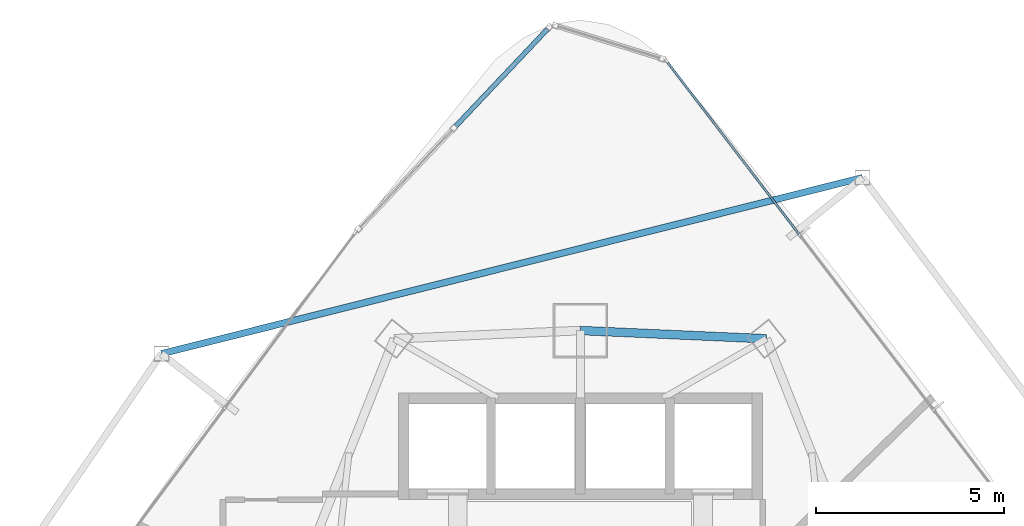
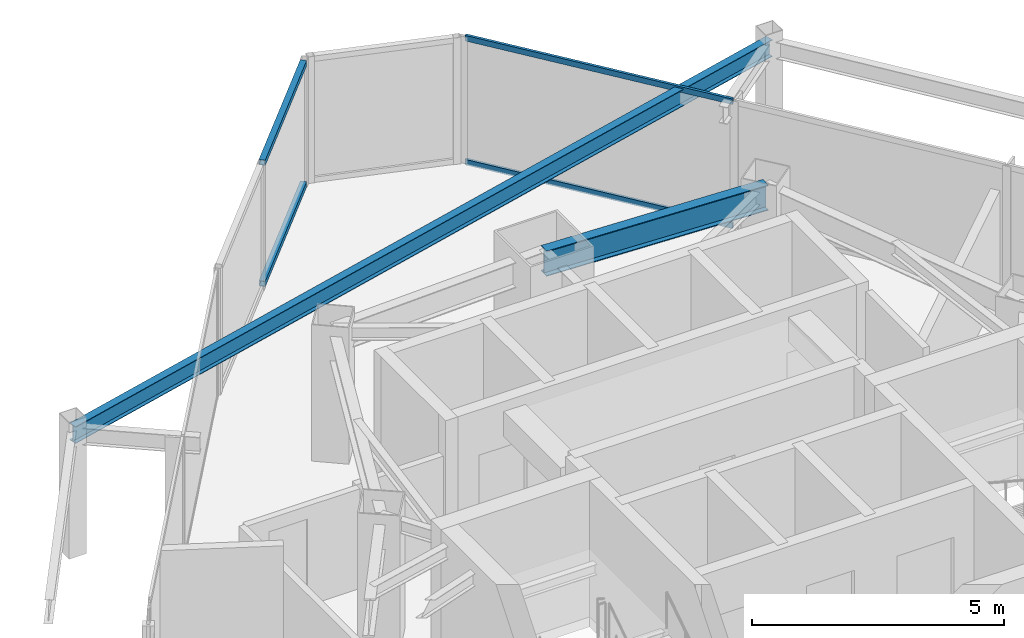
# One storey, part 20 of 31: 4 members, 2 beams, 2 elements without a shape of their own.
"""IFC4 building model written with IfcOpenShell, lengths in metres."""

from ifc_helpers import new_model, si_unit, direction, frame, origin, origin_2d, place, context, subcontext, project, spatial, hollow_rectangle, i_section, extrude, material, layer, layer_set, material_profile, profile_set, type_object, element, aggregate, save


model = new_model("IFC4")

# Units and contexts
model_context = context("Model", 3, precision=1e-05, world=origin(), true_north=direction((0.0, 1.0)))
body_context = subcontext(model_context, "Body", "Model", "MODEL_VIEW")
ifc_project = project(units=[si_unit("LENGTHUNIT", "METRE"), si_unit("AREAUNIT", "SQUARE_METRE"), si_unit("VOLUMEUNIT", "CUBIC_METRE"), si_unit("PLANEANGLEUNIT", "RADIAN"), si_unit("MASSUNIT", "GRAM", prefix="KILO")], contexts=[model_context])

# Site, building, storey
site_placement = place(None, origin())
site = spatial("IfcSite", under=ifc_project, at=site_placement, CompositionType="ELEMENT")
building_placement = place(site_placement, origin())
building = spatial("IfcBuilding", under=site, at=building_placement, Name="Orvanel Arch Residences", CompositionType="ELEMENT")
storey_placement = place(building_placement, frame((0.0, 0.0, 110.0)))
storey = spatial("IfcBuildingStorey", under=building, at=storey_placement, Name="L30", CompositionType="ELEMENT", Elevation=110.0)

# Beams
ifc_material_1 = material(Name="Structural steel AS/NZS 3679.1 Grade 300 (300 MPa)", Category="steel")
ifc_material_profile_1 = material_profile(ifc_material_1, i_section(OverallWidth=0.177978515625, OverallDepth=0.406005859375, WebThickness=0.0078125, FlangeThickness=0.0126953125, at=origin_2d()), Name="410UB59.7")
ifc_profile_set_1 = profile_set([ifc_material_profile_1], Name="Structural steel AS/NZS 3679.1 Grade 300 (300 MPa)")
beam_type_1 = type_object("IfcBeamType", Name="OB-410UB-EXT", PredefinedType="SPANDREL", material=ifc_profile_set_1)
beam_1_placement = place(storey_placement, frame((40.5048828125, 45.4619140625, 2.85693359375), z_axis=(-0.969885704206, -0.243560507426, 0.0), x_axis=(0.243560507426, -0.969885704206, 0.0)))
element("IfcBeam", 1, at=beam_1_placement, inside=storey, type_object=beam_type_1, Name="L30 Outer Perimeter Floor Ring Beam 12", PredefinedType="SPANDREL", context=body_context, shape_type="SweptSolid", body=[
    extrude(i_section(OverallWidth=0.177978515625, OverallDepth=0.406005859375, WebThickness=0.0078125, FlangeThickness=0.0126953125, at=origin_2d()), origin(), (0.0, 0.0, 1.0), 19.22265625),
])
ifc_material_profile_2 = material_profile(ifc_material_1, i_section(OverallWidth=0.22900390625, OverallDepth=0.612060546875, WebThickness=0.011962890625, FlangeThickness=0.01953125, at=origin_2d()), Name="610UB125")
ifc_profile_set_2 = profile_set([ifc_material_profile_2], Name="Structural steel AS/NZS 3679.1 Grade 300 (300 MPa)")
beam_type_2 = type_object("IfcBeamType", Name="SP-610UB", PredefinedType="SPANDREL", material=ifc_profile_set_2)
beam_2_placement = place(storey_placement, frame((37.949951171875, 41.177978515625, 2.75390625), z_axis=(-0.999014049296, 0.044395149614, 0.0), x_axis=(-0.044395149614, -0.999014049296, 0.0)))
element("IfcBeam", 2, at=beam_2_placement, inside=storey, type_object=beam_type_2, Name="L30 Perimeter Spandrel Beam 14", PredefinedType="SPANDREL", context=body_context, shape_type="SweptSolid", body=[
    extrude(i_section(OverallWidth=0.22900390625, OverallDepth=0.612060546875, WebThickness=0.011962890625, FlangeThickness=0.01953125, at=origin_2d()), origin(), (0.0, 0.0, 1.0), 4.954833984375),
])

# Curtain wall, members
ifc_material_2 = material(Name="Bronze-anodised aluminium AA6063-T6", Category="aluminium")
ifc_layer_1 = layer(ifc_material_2, 0.18994140625)
ifc_layer_set_1 = layer_set([ifc_layer_1], Name="Bronze-anodised aluminium AA6063-T6")
curtain_wall_type_1 = type_object("IfcCurtainWallType", Name="CW5-CRN-SYS", PredefinedType="NOTDEFINED", material=ifc_layer_set_1)
curtain_wall_1_placement = place(storey_placement, origin())
curtain_wall_1 = element("IfcCurtainWall", 3, at=curtain_wall_1_placement, inside=storey, type_object=curtain_wall_type_1, Name="L30 CW5-CRN-SYS Unitised Curtain Wall", PredefinedType="NOTDEFINED")
ifc_material_profile_3 = material_profile(ifc_material_2, hollow_rectangle(XDim=0.1298828125, YDim=0.1298828125, WallThickness=0.00439453125, at=origin_2d()), Name="ALU130x130x4.5")
ifc_profile_set_3 = profile_set([ifc_material_profile_3], Name="Bronze-anodised aluminium AA6063-T6")
member_type_1 = type_object("IfcMemberType", Name="TRN-130x130", PredefinedType="USERDEFINED", material=ifc_profile_set_3)
member_1_placement = place(storey_placement, frame((32.1279296875, 49.412109375, 0.06494140625), z_axis=(-0.687148803875, -0.726516704097, 0.0), x_axis=(0.726516704097, -0.687148803875, 0.0)))
member_1 = element("IfcMember", 4, at=member_1_placement, type_object=member_type_1, Name="CW-S5 transom 1.1", ObjectType="TRANSOM", PredefinedType="USERDEFINED", context=body_context, shape_type="SweptSolid", body=[
    extrude(hollow_rectangle(XDim=0.1298828125, YDim=0.1298828125, WallThickness=0.00439453125, at=origin_2d()), origin(), (0.0, 0.0, 1.0), 3.54736328125),
])
member_2_placement = place(storey_placement, frame((32.1279296875, 49.412109375, 2.9951171875), z_axis=(-0.687148803875, -0.726516704097, 0.0), x_axis=(0.726516704097, -0.687148803875, 0.0)))
member_2 = element("IfcMember", 5, at=member_2_placement, type_object=member_type_1, Name="CW-S5 transom 1.2", ObjectType="TRANSOM", PredefinedType="USERDEFINED", context=body_context, shape_type="SweptSolid", body=[
    extrude(hollow_rectangle(XDim=0.1298828125, YDim=0.1298828125, WallThickness=0.00439453125, at=origin_2d()), origin(), (0.0, 0.0, 1.0), 3.54736328125),
])
aggregate(curtain_wall_1, [member_1, member_2])

ifc_layer_2 = layer(ifc_material_2, 0.179931640625)
ifc_layer_set_2 = layer_set([ifc_layer_2], Name="Bronze-anodised aluminium AA6063-T6")
curtain_wall_type_2 = type_object("IfcCurtainWallType", Name="CW3-MID-SYS", PredefinedType="NOTDEFINED", material=ifc_layer_set_2)
curtain_wall_2_placement = place(storey_placement, origin())
curtain_wall_2 = element("IfcCurtainWall", 6, at=curtain_wall_2_placement, inside=storey, type_object=curtain_wall_type_2, Name="L30 CW3-MID-SYS Unitised Curtain Wall", PredefinedType="NOTDEFINED")
ifc_material_profile_4 = material_profile(ifc_material_2, hollow_rectangle(XDim=0.06005859375, YDim=0.135009765625, WallThickness=0.00390625, at=origin_2d()), Name="ALU135x60x4")
ifc_profile_set_4 = profile_set([ifc_material_profile_4], Name="Bronze-anodised aluminium AA6063-T6")
member_type_2 = type_object("IfcMemberType", Name="TRN-135x60", PredefinedType="USERDEFINED", material=ifc_profile_set_4)
member_3_placement = place(storey_placement, frame((38.811767578125, 43.96435546875, 0.030029296875), z_axis=(-0.607901289978, 0.794012607987, 0.0), x_axis=(-0.794012607987, -0.607901289978, 0.0)))
member_3 = element("IfcMember", 7, at=member_3_placement, type_object=member_type_2, Name="CW-S3 transom 3.1", ObjectType="TRANSOM", PredefinedType="USERDEFINED", context=body_context, shape_type="SweptSolid", body=[
    extrude(hollow_rectangle(XDim=0.06005859375, YDim=0.135009765625, WallThickness=0.00390625, at=origin_2d()), origin(), (0.0, 0.0, 1.0), 5.7431640625),
])
member_4_placement = place(storey_placement, frame((38.811767578125, 43.96435546875, 3.030029296875), z_axis=(-0.607901289978, 0.794012607987, 0.0), x_axis=(-0.794012607987, -0.607901289978, 0.0)))
member_4 = element("IfcMember", 8, at=member_4_placement, type_object=member_type_2, Name="CW-S3 transom 3.2", ObjectType="TRANSOM", PredefinedType="USERDEFINED", context=body_context, shape_type="SweptSolid", body=[
    extrude(hollow_rectangle(XDim=0.06005859375, YDim=0.135009765625, WallThickness=0.00390625, at=origin_2d()), origin(), (0.0, 0.0, 1.0), 5.7431640625),
])
aggregate(curtain_wall_2, [member_3, member_4])

save(model, "model.ifc")
